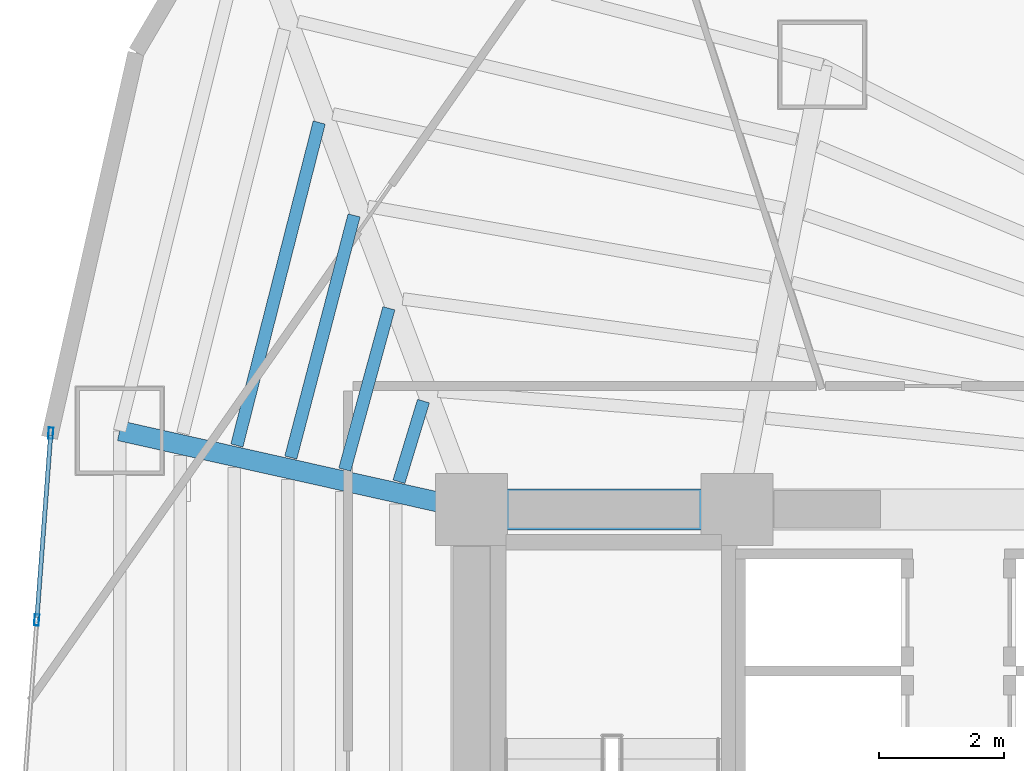
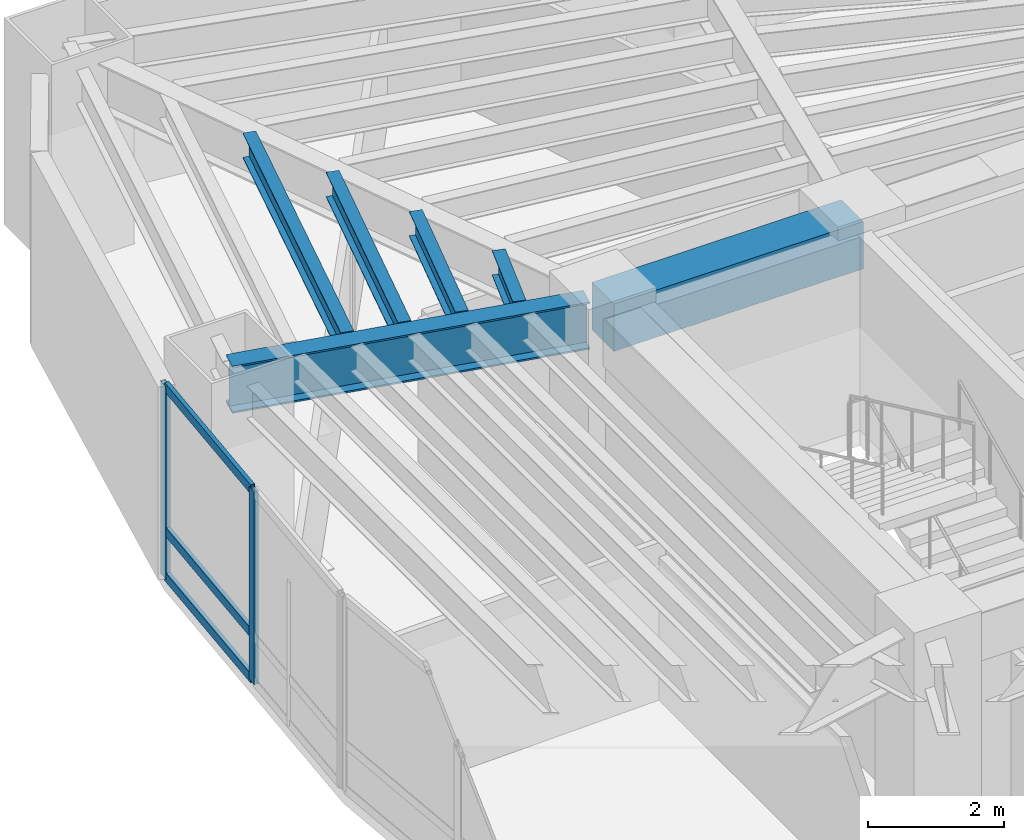
# One storey, part 8 of 20: 6 beams, 5 members, 1 element without a shape of its own.
"""IFC4 building model written with IfcOpenShell, lengths in metres."""

from ifc_helpers import new_model, si_unit, direction, frame, origin, origin_2d, place, context, subcontext, project, spatial, rectangle, hollow_rectangle, i_section, extrude, material, layer, layer_set, material_profile, profile_set, type_object, element, aggregate, save


model = new_model("IFC4")

# Units and contexts
model_context = context("Model", 3, precision=1e-05, world=origin(), true_north=direction((0.0, 1.0)))
body_context = subcontext(model_context, "Body", "Model", "MODEL_VIEW")
ifc_project = project(units=[si_unit("LENGTHUNIT", "METRE"), si_unit("AREAUNIT", "SQUARE_METRE"), si_unit("VOLUMEUNIT", "CUBIC_METRE"), si_unit("PLANEANGLEUNIT", "RADIAN"), si_unit("MASSUNIT", "GRAM", prefix="KILO")], contexts=[model_context])

# Site, building, storey
site_placement = place(None, origin())
site = spatial("IfcSite", under=ifc_project, at=site_placement, CompositionType="ELEMENT")
building_placement = place(site_placement, origin())
building = spatial("IfcBuilding", under=site, at=building_placement, Name="Menara Vayukalpa", CompositionType="ELEMENT")
storey_placement = place(building_placement, frame((0.0, 0.0, 57.360107421875)))
storey = spatial("IfcBuildingStorey", under=building, at=storey_placement, Name="L13", CompositionType="ELEMENT", Elevation=57.360107421875)

# Beams
ifc_material_1 = material(Name="Concrete C60/75", Category="concrete")
ifc_material_profile_1 = material_profile(ifc_material_1, rectangle(XDim=0.64990234375, YDim=0.85009765625, at=origin_2d()), Name="RC 650x850")
ifc_profile_set_1 = profile_set([ifc_material_profile_1], Name="Concrete C60/75")
beam_type_1 = type_object("IfcBeamType", Name="BM-CB1", PredefinedType="BEAM", material=ifc_profile_set_1)
beam_1_placement = place(storey_placement, frame((17.800048828125, 26.800048828125, 3.044921875), z_axis=(1.0, 0.0, 0.0), x_axis=(0.0, 1.0, 0.0)))
element("IfcBeam", 1, at=beam_1_placement, inside=storey, type_object=beam_type_1, Name="L13 Core Tie Beam CBR4", PredefinedType="BEAM", context=body_context, shape_type="SweptSolid", body=[
    extrude(rectangle(XDim=0.64990234375, YDim=0.85009765625, at=origin_2d()), origin(), (0.0, 0.0, 1.0), 4.25),
])
ifc_material_2 = material(Name="Steel S355", Category="steel")
ifc_material_profile_2 = material_profile(ifc_material_2, i_section(OverallWidth=0.320068359375, OverallDepth=0.85009765625, WebThickness=0.01611328125, FlangeThickness=0.030029296875, at=origin_2d()), Name="WF 850x320x16x30")
ifc_profile_set_2 = profile_set([ifc_material_profile_2], Name="Steel S355")
beam_type_2 = type_object("IfcBeamType", Name="BM-PG2", PredefinedType="BEAM", material=ifc_profile_set_2)
beam_2_placement = place(storey_placement, frame((17.555908203125, 26.8544921875, 3.044921875), z_axis=(-0.975920137818, 0.218128138031, 0.0), x_axis=(-0.218128138031, -0.975920137818, 0.0)))
element("IfcBeam", 2, at=beam_2_placement, inside=storey, type_object=beam_type_2, Name="L13 Primary Radial Girder RG05", PredefinedType="BEAM", context=body_context, shape_type="SweptSolid", body=[
    extrude(i_section(OverallWidth=0.320068359375, OverallDepth=0.85009765625, WebThickness=0.01611328125, FlangeThickness=0.030029296875, at=origin_2d()), origin(), (0.0, 0.0, 1.0), 5.524658203125),
])
ifc_material_3 = material(Name="Steel S355", Category="steel")
ifc_material_profile_3 = material_profile(ifc_material_3, i_section(OverallWidth=0.199951171875, OverallDepth=0.449951171875, WebThickness=0.009033203125, FlangeThickness=0.013916015625, at=origin_2d()), Name="WF 450x200x9x14")
ifc_profile_set_3 = profile_set([ifc_material_profile_3], Name="Steel S355")
beam_type_3 = type_object("IfcBeamType", Name="BM-SJ1", PredefinedType="JOIST", material=ifc_profile_set_3)
beam_3_placement = place(storey_placement, frame((17.03076171875, 28.535888671875, 3.244873046875), z_axis=(-0.291010568606, -0.956719838281, 0.0), x_axis=(0.956719838281, -0.291010568606, 0.0)))
element("IfcBeam", 3, at=beam_3_placement, inside=storey, type_object=beam_type_3, Name="L13 Secondary Floor Joist SJ04-1", PredefinedType="JOIST", context=body_context, shape_type="SweptSolid", body=[
    extrude(i_section(OverallWidth=0.199951171875, OverallDepth=0.449951171875, WebThickness=0.009033203125, FlangeThickness=0.013916015625, at=origin_2d()), origin(), (0.0, 0.0, 1.0), 1.3505859375),
])
beam_4_placement = place(storey_placement, frame((16.4765625, 30.0224609375, 3.244873046875), z_axis=(-0.263618546233, -0.964627006714, 0.0), x_axis=(0.964627006714, -0.263618546233, 0.0)))
element("IfcBeam", 4, at=beam_4_placement, inside=storey, type_object=beam_type_3, Name="L13 Secondary Floor Joist SJ04-2", PredefinedType="JOIST", context=body_context, shape_type="SweptSolid", body=[
    extrude(i_section(OverallWidth=0.199951171875, OverallDepth=0.449951171875, WebThickness=0.009033203125, FlangeThickness=0.013916015625, at=origin_2d()), origin(), (0.0, 0.0, 1.0), 2.67919921875),
])
beam_5_placement = place(storey_placement, frame((15.919189453125, 31.510009765625, 3.244873046875), z_axis=(-0.25283833468, -0.967508540798, 0.0), x_axis=(0.967508540798, -0.25283833468, 0.0)))
element("IfcBeam", 5, at=beam_5_placement, inside=storey, type_object=beam_type_3, Name="L13 Secondary Floor Joist SJ04-3", PredefinedType="JOIST", context=body_context, shape_type="SweptSolid", body=[
    extrude(i_section(OverallWidth=0.199951171875, OverallDepth=0.449951171875, WebThickness=0.009033203125, FlangeThickness=0.013916015625, at=origin_2d()), origin(), (0.0, 0.0, 1.0), 4.00927734375),
])
beam_6_placement = place(storey_placement, frame((15.361328125, 32.997802734375, 3.244873046875), z_axis=(-0.247105572938, -0.968988563309, 0.0), x_axis=(0.968988563309, -0.247105572938, 0.0)))
element("IfcBeam", 6, at=beam_6_placement, inside=storey, type_object=beam_type_3, Name="L13 Secondary Floor Joist SJ04-4", PredefinedType="JOIST", context=body_context, shape_type="SweptSolid", body=[
    extrude(i_section(OverallWidth=0.199951171875, OverallDepth=0.449951171875, WebThickness=0.009033203125, FlangeThickness=0.013916015625, at=origin_2d()), origin(), (0.0, 0.0, 1.0), 5.339111328125),
])

# Curtain wall, members
ifc_material_4 = material(Name="Anodised Terracotta Aluminium Alloy 6063-T6", Category="masonry")
ifc_layer = layer(ifc_material_4, 0.179931640625)
ifc_layer_set = layer_set([ifc_layer], Name="Anodised Terracotta Aluminium Alloy 6063-T6")
curtain_wall_type = type_object("IfcCurtainWallType", Name="CW-CW4", PredefinedType="USERDEFINED", material=ifc_layer_set)
curtain_wall_placement = place(storey_placement, origin())
curtain_wall = element("IfcCurtainWall", 7, at=curtain_wall_placement, inside=storey, type_object=curtain_wall_type, Name="L13 Sky Bar Cantilever Glazed Curtain Wall CW4 10", ObjectType="UNITISED", PredefinedType="USERDEFINED")
ifc_material_5 = material(Name="Anodised Terracotta Aluminium Alloy 6063-T6", Category="masonry")
ifc_material_profile_4 = material_profile(ifc_material_5, hollow_rectangle(XDim=0.074951171875, YDim=0.179931640625, WallThickness=0.00390625, at=origin_2d()), Name="ALU 75x180x4")
ifc_profile_set_4 = profile_set([ifc_material_profile_4], Name="Anodised Terracotta Aluminium Alloy 6063-T6")
member_type_1 = type_object("IfcMemberType", Name="CWM-CW4", PredefinedType="MULLION", material=ifc_profile_set_4)
member_1_placement = place(storey_placement, frame((11.061279296875, 28.022216796875, 0.0), z_axis=(0.0, 0.0, 1.0), x_axis=(0.997198941676, -0.074794857576, 0.0)))
member_1 = element("IfcMember", 8, at=member_1_placement, type_object=member_type_1, Name="CW4 mullion 1", PredefinedType="MULLION", context=body_context, shape_type="SweptSolid", body=[
    extrude(hollow_rectangle(XDim=0.074951171875, YDim=0.179931640625, WallThickness=0.00390625, at=origin_2d()), origin(), (0.0, 0.0, 1.0), 3.469970703125),
])
member_2_placement = place(storey_placement, frame((10.8369140625, 25.02978515625, 0.0), z_axis=(0.0, 0.0, 1.0), x_axis=(0.997198941676, -0.074794857576, 0.0)))
member_2 = element("IfcMember", 9, at=member_2_placement, type_object=member_type_1, Name="CW4 mullion 2", PredefinedType="MULLION", context=body_context, shape_type="SweptSolid", body=[
    extrude(hollow_rectangle(XDim=0.074951171875, YDim=0.179931640625, WallThickness=0.00390625, at=origin_2d()), origin(), (0.0, 0.0, 1.0), 3.469970703125),
])
ifc_material_6 = material(Name="Anodised Terracotta Aluminium Alloy 6063-T6", Category="masonry")
ifc_material_profile_5 = material_profile(ifc_material_6, hollow_rectangle(XDim=0.070068359375, YDim=0.1650390625, WallThickness=0.00390625, at=origin_2d()), Name="ALU 70x165x4")
ifc_profile_set_5 = profile_set([ifc_material_profile_5], Name="Anodised Terracotta Aluminium Alloy 6063-T6")
member_type_2 = type_object("IfcMemberType", Name="CWT-CW4", PredefinedType="USERDEFINED", material=ifc_profile_set_5)
member_3_placement = place(storey_placement, frame((11.05859375, 27.98486328125, 0.034912109375), z_axis=(-0.074762981632, -0.997201332017, 0.0), x_axis=(0.997201332017, -0.074762981632, 0.0)))
member_3 = element("IfcMember", 10, at=member_3_placement, type_object=member_type_2, Name="CW4 transom 1.1", ObjectType="TRANSOM", PredefinedType="USERDEFINED", context=body_context, shape_type="SweptSolid", body=[
    extrude(hollow_rectangle(XDim=0.070068359375, YDim=0.1650390625, WallThickness=0.00390625, at=origin_2d()), origin(), (0.0, 0.0, 1.0), 2.926025390625),
])
member_4_placement = place(storey_placement, frame((11.05859375, 27.98486328125, 0.849853515625), z_axis=(-0.074762981632, -0.997201332017, 0.0), x_axis=(0.997201332017, -0.074762981632, 0.0)))
member_4 = element("IfcMember", 11, at=member_4_placement, type_object=member_type_2, Name="CW4 transom 1.2", ObjectType="TRANSOM", PredefinedType="USERDEFINED", context=body_context, shape_type="SweptSolid", body=[
    extrude(hollow_rectangle(XDim=0.070068359375, YDim=0.1650390625, WallThickness=0.00390625, at=origin_2d()), origin(), (0.0, 0.0, 1.0), 2.926025390625),
])
member_5_placement = place(storey_placement, frame((11.05859375, 27.98486328125, 3.434814453125), z_axis=(-0.074762981632, -0.997201332017, 0.0), x_axis=(0.997201332017, -0.074762981632, 0.0)))
member_5 = element("IfcMember", 12, at=member_5_placement, type_object=member_type_2, Name="CW4 transom 1.3", ObjectType="TRANSOM", PredefinedType="USERDEFINED", context=body_context, shape_type="SweptSolid", body=[
    extrude(hollow_rectangle(XDim=0.070068359375, YDim=0.1650390625, WallThickness=0.00390625, at=origin_2d()), origin(), (0.0, 0.0, 1.0), 2.926025390625),
])
aggregate(curtain_wall, [member_1, member_2, member_3, member_4, member_5])

save(model, "model.ifc")
